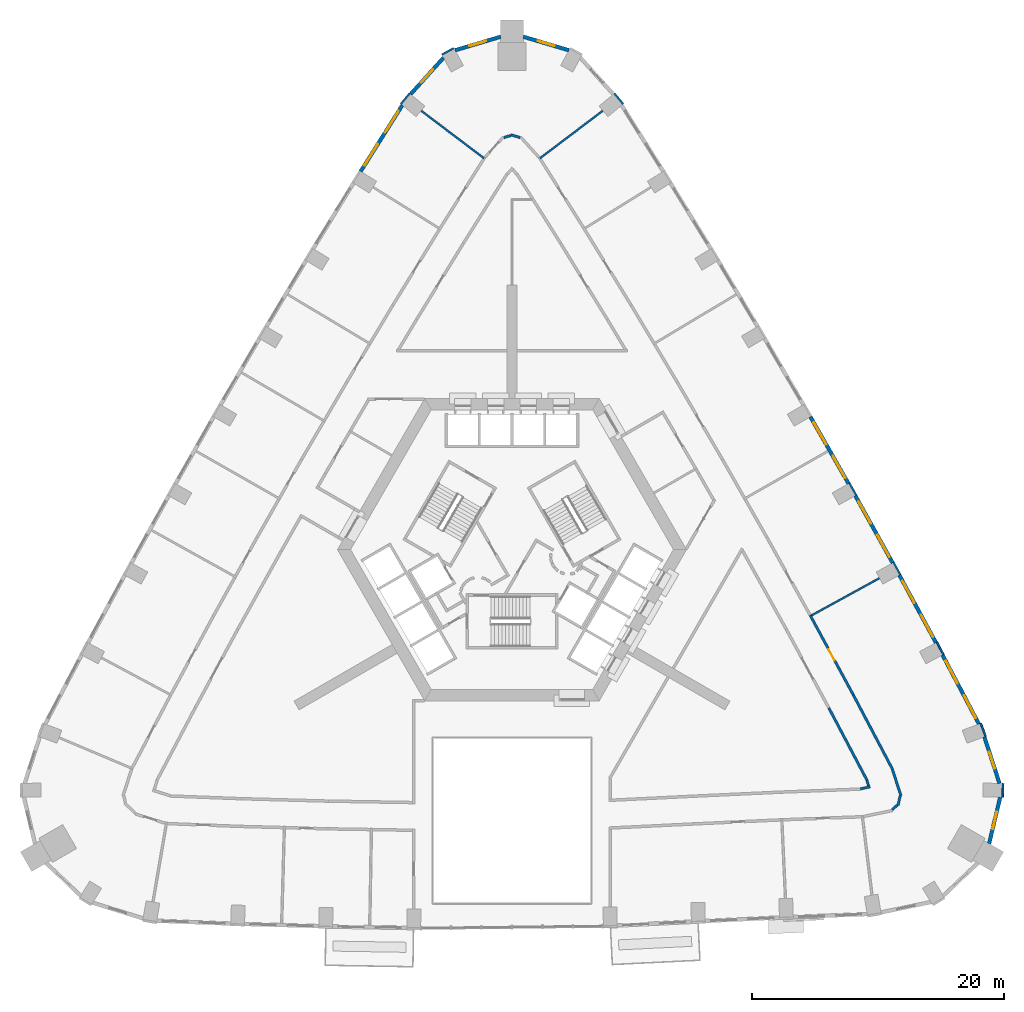
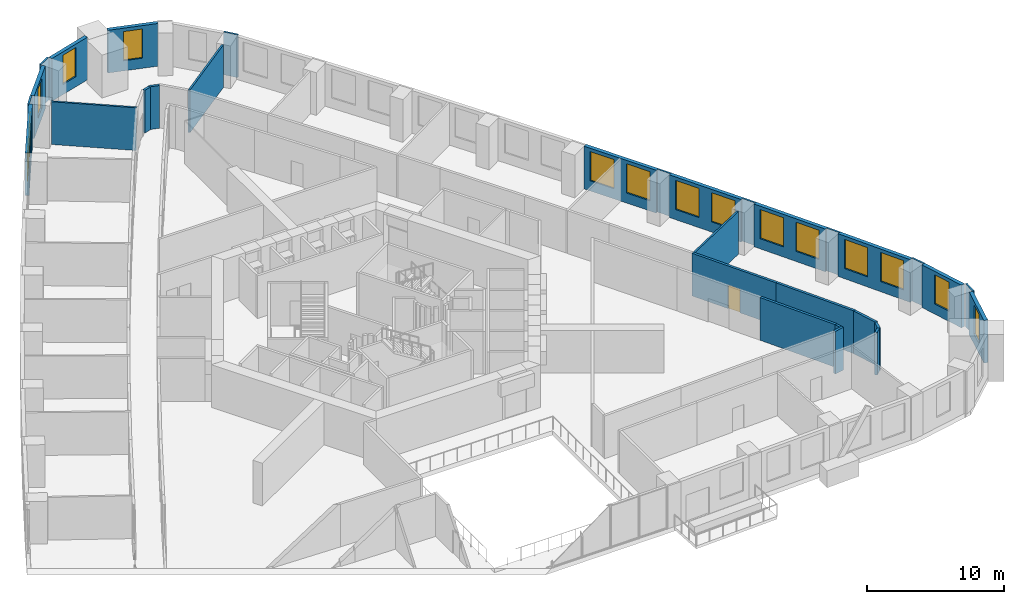
# One storey, part 11 of 14: 31 walls, 15 windows, 1 door, 16 openings.
"""IFC4 building model written with IfcOpenShell, lengths in metres."""

from ifc_helpers import new_model, si_unit, direction, frame, frame_2d, origin, place, context, subcontext, project, spatial, rectangle, extrude, material, layer, layer_set, type_object, element, fill, save


model = new_model("IFC4")

# Units and contexts
model_context = context("Model", 3, precision=1e-05, world=origin(), true_north=direction((0.0, 1.0)))
body_context = subcontext(model_context, "Body", "Model", "MODEL_VIEW")
ifc_project = project(units=[si_unit("LENGTHUNIT", "METRE"), si_unit("AREAUNIT", "SQUARE_METRE"), si_unit("VOLUMEUNIT", "CUBIC_METRE"), si_unit("PLANEANGLEUNIT", "RADIAN"), si_unit("MASSUNIT", "GRAM", prefix="KILO")], contexts=[model_context])

# Site, building, storey
site_placement = place(None, origin())
site = spatial("IfcSite", under=ifc_project, at=site_placement, CompositionType="ELEMENT")
building_placement = place(site_placement, origin())
building = spatial("IfcBuilding", under=site, at=building_placement, Name="Entoto Arch Interchange Tower", CompositionType="ELEMENT")
storey_placement = place(building_placement, frame((0.0, 0.0, 116.0)))
storey = spatial("IfcBuildingStorey", under=building, at=storey_placement, Name="L25", CompositionType="ELEMENT", Elevation=116.0)

# Walls
ifc_material_1 = material(Name="Gypsum board partition on steel studs", Category="steel")
ifc_layer_1 = layer(ifc_material_1, 0.14990234375)
ifc_layer_set_1 = layer_set([ifc_layer_1], Name="Gypsum board partition on steel studs")
wall_type_1 = type_object("IfcWallType", Name="PARTITION 150", PredefinedType="PARTITIONING", material=ifc_layer_set_1)
wall_1_placement = place(storey_placement, frame((23.7890625, -2.716064453125, 0.0), z_axis=(0.0, 0.0, 1.0), x_axis=(0.876716532234, 0.481007403382, 0.0)))
element("IfcWall", 1, at=wall_1_placement, inside=storey, type_object=wall_type_1, Name="wall:L25:p121", PredefinedType="PARTITIONING", context=body_context, shape_type="SweptSolid", body=[
    extrude(rectangle(XDim=6.130859375, YDim=0.14990234375, at=frame_2d((3.0654296875, 0.0))), origin(), (0.0, 0.0, 1.0), 3.800048828125),
])
for number, where, z_axis, x_axis, name in (
    (2, (2.2119140625, 33.56494140625, 0.0), (0.0, 0.0, 1.0), (0.797488074979, 0.603334708322, 0.0), "wall:L25:p125"),
    (3, (-2.2119140625, 33.56494140625, 0.0), (0.0, 0.0, 1.0), (-0.797488074979, 0.603334708322, 0.0), "wall:L25:p126"),
):
    element("IfcWall", number, at=place(storey_placement, frame(where, z_axis=z_axis, x_axis=x_axis)), inside=storey, type_object=wall_type_1, Name=name, PredefinedType="PARTITIONING", context=body_context, shape_type="SweptSolid", body=[
        extrude(rectangle(XDim=6.257080078125, YDim=0.14990234375, at=frame_2d((3.12841796875, 0.0))), origin(), (0.0, 0.0, 1.0), 3.800048828125),
    ])
ifc_layer_2 = layer(ifc_material_1, 0.199951171875)
ifc_layer_set_2 = layer_set([ifc_layer_2], Name="Gypsum board partition on steel studs")
wall_type_2 = type_object("IfcWallType", Name="PARTITION 200", PredefinedType="PARTITIONING", material=ifc_layer_set_2)
wall_2_placement = place(storey_placement, frame((27.652099609375, -16.491943359375, 0.0), z_axis=(0.0, 0.0, 1.0), x_axis=(0.979299848672, 0.202414936184, 0.0)))
element("IfcWall", 4, at=wall_2_placement, inside=storey, type_object=wall_type_2, Name="wall:L25:p021", PredefinedType="PARTITIONING", context=body_context, shape_type="SweptSolid", body=[
    extrude(rectangle(XDim=0.804443359375, YDim=0.199951171875, at=frame_2d((0.40234375, 0.0))), origin(), (0.0, 0.0, 1.0), 3.800048828125),
])
wall_3_placement = place(storey_placement, frame((28.31103515625, -16.25390625, 0.0), z_axis=(0.0, 0.0, 1.0), x_axis=(-0.3080060081, 0.951384411778, 0.0)))
element("IfcWall", 5, at=wall_3_placement, inside=storey, type_object=wall_type_2, Name="wall:L25:p022", PredefinedType="PARTITIONING", context=body_context, shape_type="SweptSolid", body=[
    extrude(rectangle(XDim=0.455078125, YDim=0.199951171875, at=frame_2d((0.2275390625, 0.0))), origin(), (0.0, 0.0, 1.0), 3.800048828125),
])
wall_4_placement = place(storey_placement, frame((28.18701171875, -15.81494140625, 0.0), z_axis=(0.0, 0.0, 1.0), x_axis=(-0.466663976618, 0.884434696813, 0.0)))
element("IfcWall", 6, at=wall_4_placement, inside=storey, type_object=wall_type_2, Name="wall:L25:p023", PredefinedType="PARTITIONING", context=body_context, shape_type="SweptSolid", body=[
    extrude(rectangle(XDim=6.501220703125, YDim=0.199951171875, at=frame_2d((3.25048828125, 0.0))), origin(), (0.0, 0.0, 1.0), 3.800048828125),
])

# Wall, opening, door
wall_5_placement = place(storey_placement, frame((23.666015625, -2.697998046875, 0.0), z_axis=(0.0, 0.0, 1.0), x_axis=(0.476195741963, -0.879339306148, 0.0)))
wall_5 = element("IfcWall", 7, at=wall_5_placement, inside=storey, type_object=wall_type_2, Name="wall:L25:p039", PredefinedType="PARTITIONING", context=body_context, shape_type="SweptSolid", body=[
    extrude(rectangle(XDim=7.19873046875, YDim=0.199951171875, at=frame_2d((3.599365234375, 0.0))), origin(), (0.0, 0.0, 1.0), 3.800048828125),
])
opening_1_placement = place(wall_5_placement, frame((3.09912109375, 0.0, 0.0)))
opening_1 = element("IfcOpeningElement", 8, at=opening_1_placement, cuts=wall_5, Name="Opening L25-D03", PredefinedType="OPENING", context=body_context, shape_type="SweptSolid", body=[
    extrude(rectangle(XDim=1.0, YDim=2.10009765625, at=frame_2d((0.5, 1.050048828125))), frame((0.0, 0.10986328125, 0.0), z_axis=(0.0, -1.0, 0.0), x_axis=(1.0, 0.0, 0.0)), (0.0, 0.0, 1.0), 0.219970703125),
])
ifc_material_2 = material(Name="Timber door leaf in Steel S235 frame", Category="steel")
door_type = type_object("IfcDoorType", Name="DOOR DS-10 1000x2100", OperationType="SINGLE_SWING_LEFT", PredefinedType="DOOR", material=ifc_material_2)
door_placement = place(opening_1_placement, origin())
door = element("IfcDoor", 9, at=door_placement, inside=storey, type_object=door_type, Name="door:L25:03", OperationType="SINGLE_SWING_RIGHT", OverallHeight=2.10009765625, OverallWidth=1.0, PredefinedType="DOOR", context=body_context, shape_type="SweptSolid", body=[
    extrude(rectangle(XDim=1.0, YDim=2.10009765625, at=frame_2d((0.5, 1.050048828125))), frame((0.0, 0.02490234375, 0.0), z_axis=(0.0, -1.0, 0.0), x_axis=(1.0, 0.0, 0.0)), (0.0, 0.0, 1.0), 0.050048828125),
])
fill(opening_1, door)

# Walls
wall_6_placement = place(storey_placement, frame((27.093994140625, -9.028076171875, 0.0), z_axis=(0.0, 0.0, 1.0), x_axis=(0.466559961767, -0.884489571491, 0.0)))
element("IfcWall", 10, at=wall_6_placement, inside=storey, type_object=wall_type_2, Name="wall:L25:p040", PredefinedType="PARTITIONING", context=body_context, shape_type="SweptSolid", body=[
    extrude(rectangle(XDim=6.7021484375, YDim=0.199951171875, at=frame_2d((3.35107421875, 0.0))), origin(), (0.0, 0.0, 1.0), 3.800048828125),
])
wall_7_placement = place(storey_placement, frame((30.205078125, -14.9619140625, 0.0), z_axis=(0.0, 0.0, 1.0), x_axis=(0.308592319841, -0.951194396606, 0.0)))
element("IfcWall", 11, at=wall_7_placement, inside=storey, type_object=wall_type_2, Name="wall:L25:p041", PredefinedType="PARTITIONING", context=body_context, shape_type="SweptSolid", body=[
    extrude(rectangle(XDim=2.180419921875, YDim=0.199951171875, at=frame_2d((1.09033203125, 0.0))), origin(), (0.0, 0.0, 1.0), 3.800048828125),
])
wall_8_placement = place(storey_placement, frame((30.822998046875, -17.0380859375, 0.0), z_axis=(0.0, 0.0, 1.0), x_axis=(-0.2319010674, -0.972739376677, 0.0)))
element("IfcWall", 12, at=wall_8_placement, inside=storey, type_object=wall_type_2, Name="wall:L25:p042", PredefinedType="PARTITIONING", context=body_context, shape_type="SweptSolid", body=[
    extrude(rectangle(XDim=0.784423828125, YDim=0.199951171875, at=frame_2d((0.39208984375, 0.0))), origin(), (0.0, 0.0, 1.0), 3.800048828125),
])
wall_9_placement = place(storey_placement, frame((30.592041015625, -17.77294921875, 0.0), z_axis=(0.0, 0.0, 1.0), x_axis=(-0.727217805738, -0.68640677664, 0.0)))
element("IfcWall", 13, at=wall_9_placement, inside=storey, type_object=wall_type_2, Name="wall:L25:p043", PredefinedType="PARTITIONING", context=body_context, shape_type="SweptSolid", body=[
    extrude(rectangle(XDim=0.562255859375, YDim=0.199951171875, at=frame_2d((0.28125, 0.0))), origin(), (0.0, 0.0, 1.0), 3.800048828125),
])
wall_10_placement = place(storey_placement, frame((-0.656005859375, 35.212890625, 0.0), z_axis=(0.0, 0.0, 1.0), x_axis=(0.958764375257, 0.284202168777, 0.0)))
element("IfcWall", 14, at=wall_10_placement, inside=storey, type_object=wall_type_2, Name="wall:L25:p054", PredefinedType="PARTITIONING", context=body_context, shape_type="SweptSolid", body=[
    extrude(rectangle(XDim=0.584228515625, YDim=0.199951171875, at=frame_2d((0.2919921875, 0.0))), origin(), (0.0, 0.0, 1.0), 3.800048828125),
])
wall_11_placement = place(storey_placement, frame((-0.095947265625, 35.43603515625, 0.0), z_axis=(0.0, 0.0, 1.0), x_axis=(0.95867870552, -0.284491018456, 0.0)))
element("IfcWall", 15, at=wall_11_placement, inside=storey, type_object=wall_type_2, Name="wall:L25:p055", PredefinedType="PARTITIONING", context=body_context, shape_type="SweptSolid", body=[
    extrude(rectangle(XDim=0.784423828125, YDim=0.199951171875, at=frame_2d((0.39208984375, 0.0))), origin(), (0.0, 0.0, 1.0), 3.800048828125),
])

# Wall, opening, window
ifc_material_3 = material(Name="Welded tuff (ignimbrite) cladding, warm buff", Category="masonry")
ifc_layer_3 = layer(ifc_material_3, 0.300048828125)
ifc_layer_set_3 = layer_set([ifc_layer_3], Name="Welded tuff (ignimbrite) cladding, warm buff")
wall_type_3 = type_object("IfcWallType", Name="STONE INFILL WALL 300", PredefinedType="STANDARD", material=ifc_layer_set_3)
wall_12_placement = place(storey_placement, frame((37.884033203125, -20.8349609375, 0.0), z_axis=(0.0, 0.0, 1.0), x_axis=(0.232654276823, 0.972559503309, 0.0)))
wall_12 = element("IfcWall", 16, at=wall_12_placement, inside=storey, type_object=wall_type_3, Name="Facade wall SE-03 L25", PredefinedType="STANDARD", context=body_context, shape_type="SweptSolid", body=[
    extrude(rectangle(XDim=3.77783203125, YDim=0.300048828125, at=frame_2d((1.888916015625, 0.0))), origin(), (0.0, 0.0, 1.0), 3.800048828125),
])
opening_2_placement = place(wall_12_placement, frame((1.18896484375, 0.0, 0.89990234375)))
opening_2 = element("IfcOpeningElement", 17, at=opening_2_placement, cuts=wall_12, Name="Opening WO-B", PredefinedType="OPENING", context=body_context, shape_type="SweptSolid", body=[
    extrude(rectangle(XDim=1.39990234375, YDim=2.60009765625, at=frame_2d((0.699951171875, 1.300048828125))), frame((0.0, 0.16015625, 0.0), z_axis=(0.0, -1.0, 0.0), x_axis=(1.0, 0.0, 0.0)), (0.0, 0.0, 1.0), 0.320068359375),
])
ifc_material_4 = material(Name="Clear glass, low-e double glazed", Category="glass")
window_type_1 = type_object("IfcWindowType", Name="WINDOW WO-B 1400x2600", PartitioningType="DOUBLE_PANEL_VERTICAL", PredefinedType="WINDOW", material=ifc_material_4)
window_1_placement = place(opening_2_placement, origin())
window_1 = element("IfcWindow", 18, at=window_1_placement, inside=storey, type_object=window_type_1, Name="Window WO-B SE-03 L25", OverallHeight=2.60009765625, OverallWidth=1.39990234375, PartitioningType="SINGLE_PANEL", PredefinedType="WINDOW", context=body_context, shape_type="SweptSolid", body=[
    extrude(rectangle(XDim=1.39990234375, YDim=2.60009765625, at=frame_2d((0.699951171875, 1.300048828125))), frame((0.0, 0.030029296875, 0.0), z_axis=(0.0, -1.0, 0.0), x_axis=(1.0, 0.0, 0.0)), (0.0, 0.0, 1.0), 0.06005859375),
])
fill(opening_2, window_1)

wall_13_placement = place(storey_placement, frame((38.708984375, -16.06103515625, 0.0), z_axis=(0.0, 0.0, 1.0), x_axis=(-0.308484760821, 0.951229284842, 0.0)))
wall_13 = element("IfcWall", 19, at=wall_13_placement, inside=storey, type_object=wall_type_3, Name="Facade wall SE-04 L25", PredefinedType="STANDARD", context=body_context, shape_type="SweptSolid", body=[
    extrude(rectangle(XDim=3.89306640625, YDim=0.300048828125, at=frame_2d((1.946533203125, 0.0))), origin(), (0.0, 0.0, 1.0), 3.800048828125),
])
opening_3_placement = place(wall_13_placement, frame((1.24609375, 0.0, 0.89990234375)))
opening_3 = element("IfcOpeningElement", 20, at=opening_3_placement, cuts=wall_13, Name="Opening WO-B", PredefinedType="OPENING", context=body_context, shape_type="SweptSolid", body=[
    extrude(rectangle(XDim=1.39990234375, YDim=2.60009765625, at=frame_2d((0.699951171875, 1.300048828125))), frame((0.0, 0.16015625, 0.0), z_axis=(0.0, -1.0, 0.0), x_axis=(1.0, 0.0, 0.0)), (0.0, 0.0, 1.0), 0.320068359375),
])
window_2_placement = place(opening_3_placement, origin())
window_2 = element("IfcWindow", 21, at=window_2_placement, inside=storey, type_object=window_type_1, Name="Window WO-B SE-04 L25", OverallHeight=2.60009765625, OverallWidth=1.39990234375, PartitioningType="SINGLE_PANEL", PredefinedType="WINDOW", context=body_context, shape_type="SweptSolid", body=[
    extrude(rectangle(XDim=1.39990234375, YDim=2.60009765625, at=frame_2d((0.699951171875, 1.300048828125))), frame((0.0, 0.030029296875, 0.0), z_axis=(0.0, -1.0, 0.0), x_axis=(1.0, 0.0, 0.0)), (0.0, 0.0, 1.0), 0.06005859375),
])
fill(opening_3, window_2)

# Wall, openings, windows
wall_14_placement = place(storey_placement, frame((37.0791015625, -11.345947265625, 0.0), z_axis=(0.0, 0.0, 1.0), x_axis=(-0.466599547852, 0.88446868907, 0.0)))
wall_14 = element("IfcWall", 22, at=wall_14_placement, inside=storey, type_object=wall_type_3, Name="Facade wall NE-01 L25", PredefinedType="STANDARD", context=body_context, shape_type="SweptSolid", body=[
    extrude(rectangle(XDim=6.202392578125, YDim=0.300048828125, at=frame_2d((3.10107421875, 0.0))), origin(), (0.0, 0.0, 1.0), 3.800048828125),
])
opening_4_placement = place(wall_14_placement, frame((0.551025390625, 0.0, 0.89990234375)))
opening_4 = element("IfcOpeningElement", 23, at=opening_4_placement, cuts=wall_14, Name="Opening WO-C", PredefinedType="OPENING", context=body_context, shape_type="SweptSolid", body=[
    extrude(rectangle(XDim=2.0, YDim=2.60009765625, at=frame_2d((1.0, 1.300048828125))), frame((0.0, 0.16015625, 0.0), z_axis=(0.0, -1.0, 0.0), x_axis=(1.0, 0.0, 0.0)), (0.0, 0.0, 1.0), 0.320068359375),
])
opening_5_placement = place(wall_14_placement, frame((3.652099609375, 0.0, 0.89990234375)))
opening_5 = element("IfcOpeningElement", 24, at=opening_5_placement, cuts=wall_14, Name="Opening WO-C", PredefinedType="OPENING", context=body_context, shape_type="SweptSolid", body=[
    extrude(rectangle(XDim=2.0, YDim=2.60009765625, at=frame_2d((1.0, 1.300048828125))), frame((0.0, 0.16015625, 0.0), z_axis=(0.0, -1.0, 0.0), x_axis=(1.0, 0.0, 0.0)), (0.0, 0.0, 1.0), 0.320068359375),
])
window_type_2 = type_object("IfcWindowType", Name="WINDOW WO-C 2000x2600", PartitioningType="DOUBLE_PANEL_VERTICAL", PredefinedType="WINDOW", material=ifc_material_4)
window_3_placement = place(opening_4_placement, origin())
window_3 = element("IfcWindow", 25, at=window_3_placement, inside=storey, type_object=window_type_2, Name="Window WO-C NE-01 L25", OverallHeight=2.60009765625, OverallWidth=2.0, PartitioningType="SINGLE_PANEL", PredefinedType="WINDOW", context=body_context, shape_type="SweptSolid", body=[
    extrude(rectangle(XDim=2.0, YDim=2.60009765625, at=frame_2d((1.0, 1.300048828125))), frame((0.0, 0.030029296875, 0.0), z_axis=(0.0, -1.0, 0.0), x_axis=(1.0, 0.0, 0.0)), (0.0, 0.0, 1.0), 0.06005859375),
])
fill(opening_4, window_3)
window_4_placement = place(opening_5_placement, origin())
window_4 = element("IfcWindow", 26, at=window_4_placement, inside=storey, type_object=window_type_2, Name="Window WO-C NE-01 L25", OverallHeight=2.60009765625, OverallWidth=2.0, PartitioningType="SINGLE_PANEL", PredefinedType="WINDOW", context=body_context, shape_type="SweptSolid", body=[
    extrude(rectangle(XDim=2.0, YDim=2.60009765625, at=frame_2d((1.0, 1.300048828125))), frame((0.0, 0.030029296875, 0.0), z_axis=(0.0, -1.0, 0.0), x_axis=(1.0, 0.0, 0.0)), (0.0, 0.0, 1.0), 0.06005859375),
])
fill(opening_5, window_4)

wall_15_placement = place(storey_placement, frame((33.6669921875, -4.89208984375, 0.0), z_axis=(0.0, 0.0, 1.0), x_axis=(-0.476097776444, 0.879392351152, 0.0)))
wall_15 = element("IfcWall", 27, at=wall_15_placement, inside=storey, type_object=wall_type_3, Name="Facade wall NE-02 L25", PredefinedType="STANDARD", context=body_context, shape_type="SweptSolid", body=[
    extrude(rectangle(XDim=6.10986328125, YDim=0.300048828125, at=frame_2d((3.054931640625, 0.0))), origin(), (0.0, 0.0, 1.0), 3.800048828125),
])
opening_6_placement = place(wall_15_placement, frame((0.527099609375, 0.0, 0.89990234375)))
opening_6 = element("IfcOpeningElement", 28, at=opening_6_placement, cuts=wall_15, Name="Opening WO-C", PredefinedType="OPENING", context=body_context, shape_type="SweptSolid", body=[
    extrude(rectangle(XDim=2.0, YDim=2.60009765625, at=frame_2d((1.0, 1.300048828125))), frame((0.0, 0.16015625, 0.0), z_axis=(0.0, -1.0, 0.0), x_axis=(1.0, 0.0, 0.0)), (0.0, 0.0, 1.0), 0.320068359375),
])
opening_7_placement = place(wall_15_placement, frame((3.58203125, 0.0, 0.89990234375)))
opening_7 = element("IfcOpeningElement", 29, at=opening_7_placement, cuts=wall_15, Name="Opening WO-C", PredefinedType="OPENING", context=body_context, shape_type="SweptSolid", body=[
    extrude(rectangle(XDim=2.0, YDim=2.60009765625, at=frame_2d((1.0, 1.300048828125))), frame((0.0, 0.16015625, 0.0), z_axis=(0.0, -1.0, 0.0), x_axis=(1.0, 0.0, 0.0)), (0.0, 0.0, 1.0), 0.320068359375),
])
window_5_placement = place(opening_6_placement, origin())
window_5 = element("IfcWindow", 30, at=window_5_placement, inside=storey, type_object=window_type_2, Name="Window WO-C NE-02 L25", OverallHeight=2.60009765625, OverallWidth=2.0, PartitioningType="SINGLE_PANEL", PredefinedType="WINDOW", context=body_context, shape_type="SweptSolid", body=[
    extrude(rectangle(XDim=2.0, YDim=2.60009765625, at=frame_2d((1.0, 1.300048828125))), frame((0.0, 0.030029296875, 0.0), z_axis=(0.0, -1.0, 0.0), x_axis=(1.0, 0.0, 0.0)), (0.0, 0.0, 1.0), 0.06005859375),
])
fill(opening_6, window_5)
window_6_placement = place(opening_7_placement, origin())
window_6 = element("IfcWindow", 31, at=window_6_placement, inside=storey, type_object=window_type_2, Name="Window WO-C NE-02 L25", OverallHeight=2.60009765625, OverallWidth=2.0, PartitioningType="SINGLE_PANEL", PredefinedType="WINDOW", context=body_context, shape_type="SweptSolid", body=[
    extrude(rectangle(XDim=2.0, YDim=2.60009765625, at=frame_2d((1.0, 1.300048828125))), frame((0.0, 0.030029296875, 0.0), z_axis=(0.0, -1.0, 0.0), x_axis=(1.0, 0.0, 0.0)), (0.0, 0.0, 1.0), 0.06005859375),
])
fill(opening_7, window_6)

wall_16_placement = place(storey_placement, frame((30.22998046875, 1.444091796875, 0.0), z_axis=(0.0, 0.0, 1.0), x_axis=(-0.485822751649, 0.874057351654, 0.0)))
wall_16 = element("IfcWall", 32, at=wall_16_placement, inside=storey, type_object=wall_type_3, Name="Facade wall NE-03 L25", PredefinedType="STANDARD", context=body_context, shape_type="SweptSolid", body=[
    extrude(rectangle(XDim=6.109375, YDim=0.300048828125, at=frame_2d((3.0546875, 0.0))), origin(), (0.0, 0.0, 1.0), 3.800048828125),
])
opening_8_placement = place(wall_16_placement, frame((0.527099609375, 0.0, 0.89990234375)))
opening_8 = element("IfcOpeningElement", 33, at=opening_8_placement, cuts=wall_16, Name="Opening WO-C", PredefinedType="OPENING", context=body_context, shape_type="SweptSolid", body=[
    extrude(rectangle(XDim=2.0, YDim=2.60009765625, at=frame_2d((1.0, 1.300048828125))), frame((0.0, 0.16015625, 0.0), z_axis=(0.0, -1.0, 0.0), x_axis=(1.0, 0.0, 0.0)), (0.0, 0.0, 1.0), 0.320068359375),
])
opening_9_placement = place(wall_16_placement, frame((3.58203125, 0.0, 0.89990234375)))
opening_9 = element("IfcOpeningElement", 34, at=opening_9_placement, cuts=wall_16, Name="Opening WO-C", PredefinedType="OPENING", context=body_context, shape_type="SweptSolid", body=[
    extrude(rectangle(XDim=2.0, YDim=2.60009765625, at=frame_2d((1.0, 1.300048828125))), frame((0.0, 0.16015625, 0.0), z_axis=(0.0, -1.0, 0.0), x_axis=(1.0, 0.0, 0.0)), (0.0, 0.0, 1.0), 0.320068359375),
])
window_7_placement = place(opening_8_placement, origin())
window_7 = element("IfcWindow", 35, at=window_7_placement, inside=storey, type_object=window_type_2, Name="Window WO-C NE-03 L25", OverallHeight=2.60009765625, OverallWidth=2.0, PartitioningType="SINGLE_PANEL", PredefinedType="WINDOW", context=body_context, shape_type="SweptSolid", body=[
    extrude(rectangle(XDim=2.0, YDim=2.60009765625, at=frame_2d((1.0, 1.300048828125))), frame((0.0, 0.030029296875, 0.0), z_axis=(0.0, -1.0, 0.0), x_axis=(1.0, 0.0, 0.0)), (0.0, 0.0, 1.0), 0.06005859375),
])
fill(opening_8, window_7)
window_8_placement = place(opening_9_placement, origin())
window_8 = element("IfcWindow", 36, at=window_8_placement, inside=storey, type_object=window_type_2, Name="Window WO-C NE-03 L25", OverallHeight=2.60009765625, OverallWidth=2.0, PartitioningType="SINGLE_PANEL", PredefinedType="WINDOW", context=body_context, shape_type="SweptSolid", body=[
    extrude(rectangle(XDim=2.0, YDim=2.60009765625, at=frame_2d((1.0, 1.300048828125))), frame((0.0, 0.030029296875, 0.0), z_axis=(0.0, -1.0, 0.0), x_axis=(1.0, 0.0, 0.0)), (0.0, 0.0, 1.0), 0.06005859375),
])
fill(opening_9, window_8)

wall_17_placement = place(storey_placement, frame((26.722900390625, 7.739990234375, 0.0), z_axis=(0.0, 0.0, 1.0), x_axis=(-0.495114366991, 0.868827810098, 0.0)))
wall_17 = element("IfcWall", 37, at=wall_17_placement, inside=storey, type_object=wall_type_3, Name="Facade wall NE-04 L25", PredefinedType="STANDARD", context=body_context, shape_type="SweptSolid", body=[
    extrude(rectangle(XDim=6.109619140625, YDim=0.300048828125, at=frame_2d((3.0546875, 0.0))), origin(), (0.0, 0.0, 1.0), 3.800048828125),
])
opening_10_placement = place(wall_17_placement, frame((0.527099609375, 0.0, 0.89990234375)))
opening_10 = element("IfcOpeningElement", 38, at=opening_10_placement, cuts=wall_17, Name="Opening WO-C", PredefinedType="OPENING", context=body_context, shape_type="SweptSolid", body=[
    extrude(rectangle(XDim=2.0, YDim=2.60009765625, at=frame_2d((1.0, 1.300048828125))), frame((0.0, 0.16015625, 0.0), z_axis=(0.0, -1.0, 0.0), x_axis=(1.0, 0.0, 0.0)), (0.0, 0.0, 1.0), 0.320068359375),
])
opening_11_placement = place(wall_17_placement, frame((3.58203125, 0.0, 0.89990234375)))
opening_11 = element("IfcOpeningElement", 39, at=opening_11_placement, cuts=wall_17, Name="Opening WO-C", PredefinedType="OPENING", context=body_context, shape_type="SweptSolid", body=[
    extrude(rectangle(XDim=2.0, YDim=2.60009765625, at=frame_2d((1.0, 1.300048828125))), frame((0.0, 0.16015625, 0.0), z_axis=(0.0, -1.0, 0.0), x_axis=(1.0, 0.0, 0.0)), (0.0, 0.0, 1.0), 0.320068359375),
])
window_9_placement = place(opening_10_placement, origin())
window_9 = element("IfcWindow", 40, at=window_9_placement, inside=storey, type_object=window_type_2, Name="Window WO-C NE-04 L25", OverallHeight=2.60009765625, OverallWidth=2.0, PartitioningType="SINGLE_PANEL", PredefinedType="WINDOW", context=body_context, shape_type="SweptSolid", body=[
    extrude(rectangle(XDim=2.0, YDim=2.60009765625, at=frame_2d((1.0, 1.300048828125))), frame((0.0, 0.030029296875, 0.0), z_axis=(0.0, -1.0, 0.0), x_axis=(1.0, 0.0, 0.0)), (0.0, 0.0, 1.0), 0.06005859375),
])
fill(opening_10, window_9)
window_10_placement = place(opening_11_placement, origin())
window_10 = element("IfcWindow", 41, at=window_10_placement, inside=storey, type_object=window_type_2, Name="Window WO-C NE-04 L25", OverallHeight=2.60009765625, OverallWidth=2.0, PartitioningType="SINGLE_PANEL", PredefinedType="WINDOW", context=body_context, shape_type="SweptSolid", body=[
    extrude(rectangle(XDim=2.0, YDim=2.60009765625, at=frame_2d((1.0, 1.300048828125))), frame((0.0, 0.030029296875, 0.0), z_axis=(0.0, -1.0, 0.0), x_axis=(1.0, 0.0, 0.0)), (0.0, 0.0, 1.0), 0.06005859375),
])
fill(opening_11, window_10)

# Wall, opening, window
wall_18_placement = place(storey_placement, frame((4.52001953125, 42.14892578125, 0.0), z_axis=(0.0, 0.0, 1.0), x_axis=(-0.958563070772, 0.284880394819, 0.0)))
wall_18 = element("IfcWall", 42, at=wall_18_placement, inside=storey, type_object=wall_type_3, Name="Facade wall N-02 L25", PredefinedType="STANDARD", context=body_context, shape_type="SweptSolid", body=[
    extrude(rectangle(XDim=3.777587890625, YDim=0.300048828125, at=frame_2d((1.888671875, 0.0))), origin(), (0.0, 0.0, 1.0), 3.800048828125),
])
opening_12_placement = place(wall_18_placement, frame((1.18896484375, 0.0, 0.89990234375)))
opening_12 = element("IfcOpeningElement", 43, at=opening_12_placement, cuts=wall_18, Name="Opening WO-B", PredefinedType="OPENING", context=body_context, shape_type="SweptSolid", body=[
    extrude(rectangle(XDim=1.39990234375, YDim=2.60009765625, at=frame_2d((0.699951171875, 1.300048828125))), frame((0.0, 0.16015625, 0.0), z_axis=(0.0, -1.0, 0.0), x_axis=(1.0, 0.0, 0.0)), (0.0, 0.0, 1.0), 0.320068359375),
])
window_11_placement = place(opening_12_placement, origin())
window_11 = element("IfcWindow", 44, at=window_11_placement, inside=storey, type_object=window_type_1, Name="Window WO-B N-02 L25", OverallHeight=2.60009765625, OverallWidth=1.39990234375, PartitioningType="SINGLE_PANEL", PredefinedType="WINDOW", context=body_context, shape_type="SweptSolid", body=[
    extrude(rectangle(XDim=1.39990234375, YDim=2.60009765625, at=frame_2d((0.699951171875, 1.300048828125))), frame((0.0, 0.030029296875, 0.0), z_axis=(0.0, -1.0, 0.0), x_axis=(1.0, 0.0, 0.0)), (0.0, 0.0, 1.0), 0.06005859375),
])
fill(opening_12, window_11)

wall_19_placement = place(storey_placement, frame((-0.89892578125, 43.22509765625, 0.0), z_axis=(0.0, 0.0, 1.0), x_axis=(-0.958563070772, -0.284880394819, 0.0)))
wall_19 = element("IfcWall", 45, at=wall_19_placement, inside=storey, type_object=wall_type_3, Name="Facade wall N-03 L25", PredefinedType="STANDARD", context=body_context, shape_type="SweptSolid", body=[
    extrude(rectangle(XDim=3.777587890625, YDim=0.300048828125, at=frame_2d((1.888671875, 0.0))), origin(), (0.0, 0.0, 1.0), 3.800048828125),
])
opening_13_placement = place(wall_19_placement, frame((1.18896484375, 0.0, 0.89990234375)))
opening_13 = element("IfcOpeningElement", 46, at=opening_13_placement, cuts=wall_19, Name="Opening WO-B", PredefinedType="OPENING", context=body_context, shape_type="SweptSolid", body=[
    extrude(rectangle(XDim=1.39990234375, YDim=2.60009765625, at=frame_2d((0.699951171875, 1.300048828125))), frame((0.0, 0.16015625, 0.0), z_axis=(0.0, -1.0, 0.0), x_axis=(1.0, 0.0, 0.0)), (0.0, 0.0, 1.0), 0.320068359375),
])
window_12_placement = place(opening_13_placement, origin())
window_12 = element("IfcWindow", 47, at=window_12_placement, inside=storey, type_object=window_type_1, Name="Window WO-B N-03 L25", OverallHeight=2.60009765625, OverallWidth=1.39990234375, PartitioningType="SINGLE_PANEL", PredefinedType="WINDOW", context=body_context, shape_type="SweptSolid", body=[
    extrude(rectangle(XDim=1.39990234375, YDim=2.60009765625, at=frame_2d((0.699951171875, 1.300048828125))), frame((0.0, 0.030029296875, 0.0), z_axis=(0.0, -1.0, 0.0), x_axis=(1.0, 0.0, 0.0)), (0.0, 0.0, 1.0), 0.06005859375),
])
fill(opening_13, window_12)

wall_20_placement = place(storey_placement, frame((-5.445068359375, 41.552001953125, 0.0), z_axis=(0.0, 0.0, 1.0), x_axis=(-0.66966434159, -0.742663900834, 0.0)))
wall_20 = element("IfcWall", 48, at=wall_20_placement, inside=storey, type_object=wall_type_3, Name="Facade wall N-04 L25", PredefinedType="STANDARD", context=body_context, shape_type="SweptSolid", body=[
    extrude(rectangle(XDim=3.892822265625, YDim=0.300048828125, at=frame_2d((1.9462890625, 0.0))), origin(), (0.0, 0.0, 1.0), 3.800048828125),
])
opening_14_placement = place(wall_20_placement, frame((1.24609375, 0.0, 0.89990234375)))
opening_14 = element("IfcOpeningElement", 49, at=opening_14_placement, cuts=wall_20, Name="Opening WO-B", PredefinedType="OPENING", context=body_context, shape_type="SweptSolid", body=[
    extrude(rectangle(XDim=1.39990234375, YDim=2.60009765625, at=frame_2d((0.699951171875, 1.300048828125))), frame((0.0, 0.16015625, 0.0), z_axis=(0.0, -1.0, 0.0), x_axis=(1.0, 0.0, 0.0)), (0.0, 0.0, 1.0), 0.320068359375),
])
window_13_placement = place(opening_14_placement, origin())
window_13 = element("IfcWindow", 50, at=window_13_placement, inside=storey, type_object=window_type_1, Name="Window WO-B N-04 L25", OverallHeight=2.60009765625, OverallWidth=1.39990234375, PartitioningType="SINGLE_PANEL", PredefinedType="WINDOW", context=body_context, shape_type="SweptSolid", body=[
    extrude(rectangle(XDim=1.39990234375, YDim=2.60009765625, at=frame_2d((0.699951171875, 1.300048828125))), frame((0.0, 0.030029296875, 0.0), z_axis=(0.0, -1.0, 0.0), x_axis=(1.0, 0.0, 0.0)), (0.0, 0.0, 1.0), 0.06005859375),
])
fill(opening_14, window_13)

# Wall, openings, windows
wall_21_placement = place(storey_placement, frame((-8.714111328125, 37.783935546875, 0.0), z_axis=(0.0, 0.0, 1.0), x_axis=(-0.532699467907, -0.846304482377, 0.0)))
wall_21 = element("IfcWall", 51, at=wall_21_placement, inside=storey, type_object=wall_type_3, Name="Facade wall NW-01 L25", PredefinedType="STANDARD", context=body_context, shape_type="SweptSolid", body=[
    extrude(rectangle(XDim=6.202392578125, YDim=0.300048828125, at=frame_2d((3.10107421875, 0.0))), origin(), (0.0, 0.0, 1.0), 3.800048828125),
])
opening_15_placement = place(wall_21_placement, frame((0.551025390625, 0.0, 0.89990234375)))
opening_15 = element("IfcOpeningElement", 52, at=opening_15_placement, cuts=wall_21, Name="Opening WO-C", PredefinedType="OPENING", context=body_context, shape_type="SweptSolid", body=[
    extrude(rectangle(XDim=2.0, YDim=2.60009765625, at=frame_2d((1.0, 1.300048828125))), frame((0.0, 0.16015625, 0.0), z_axis=(0.0, -1.0, 0.0), x_axis=(1.0, 0.0, 0.0)), (0.0, 0.0, 1.0), 0.320068359375),
])
opening_16_placement = place(wall_21_placement, frame((3.652099609375, 0.0, 0.89990234375)))
opening_16 = element("IfcOpeningElement", 53, at=opening_16_placement, cuts=wall_21, Name="Opening WO-C", PredefinedType="OPENING", context=body_context, shape_type="SweptSolid", body=[
    extrude(rectangle(XDim=2.0, YDim=2.60009765625, at=frame_2d((1.0, 1.300048828125))), frame((0.0, 0.16015625, 0.0), z_axis=(0.0, -1.0, 0.0), x_axis=(1.0, 0.0, 0.0)), (0.0, 0.0, 1.0), 0.320068359375),
])
window_14_placement = place(opening_15_placement, origin())
window_14 = element("IfcWindow", 54, at=window_14_placement, inside=storey, type_object=window_type_2, Name="Window WO-C NW-01 L25", OverallHeight=2.60009765625, OverallWidth=2.0, PartitioningType="SINGLE_PANEL", PredefinedType="WINDOW", context=body_context, shape_type="SweptSolid", body=[
    extrude(rectangle(XDim=2.0, YDim=2.60009765625, at=frame_2d((1.0, 1.300048828125))), frame((0.0, 0.030029296875, 0.0), z_axis=(0.0, -1.0, 0.0), x_axis=(1.0, 0.0, 0.0)), (0.0, 0.0, 1.0), 0.06005859375),
])
fill(opening_15, window_14)
window_15_placement = place(opening_16_placement, origin())
window_15 = element("IfcWindow", 55, at=window_15_placement, inside=storey, type_object=window_type_2, Name="Window WO-C NW-01 L25", OverallHeight=2.60009765625, OverallWidth=2.0, PartitioningType="SINGLE_PANEL", PredefinedType="WINDOW", context=body_context, shape_type="SweptSolid", body=[
    extrude(rectangle(XDim=2.0, YDim=2.60009765625, at=frame_2d((1.0, 1.300048828125))), frame((0.0, 0.030029296875, 0.0), z_axis=(0.0, -1.0, 0.0), x_axis=(1.0, 0.0, 0.0)), (0.0, 0.0, 1.0), 0.06005859375),
])
fill(opening_16, window_15)

# Walls
ifc_layer_4 = layer(ifc_material_3, 0.14990234375)
ifc_layer_set_4 = layer_set([ifc_layer_4], Name="Welded tuff (ignimbrite) cladding, warm buff")
wall_type_4 = type_object("IfcWallType", Name="STONE PIER CLADDING 150", PredefinedType="STANDARD", material=ifc_layer_set_4)
wall_22_placement = place(storey_placement, frame((-4.613037109375, 42.322021484375, 0.0), z_axis=(0.0, 0.0, 1.0), x_axis=(-0.877463015547, -0.479644301902, 0.0)))
element("IfcWall", 56, at=wall_22_placement, inside=storey, type_object=wall_type_4, Name="Stone pier N3 L25", PredefinedType="STANDARD", context=body_context, shape_type="SweptSolid", body=[
    extrude(rectangle(XDim=1.10107421875, YDim=0.14990234375, at=frame_2d((0.550537109375, 0.0))), origin(), (0.0, 0.0, 1.0), 3.800048828125),
])
wall_23_placement = place(storey_placement, frame((37.60009765625, -12.324951171875, 0.0), z_axis=(0.0, 0.0, 1.0), x_axis=(-0.347205967468, 0.937788897436, 0.0)))
element("IfcWall", 57, at=wall_23_placement, inside=storey, type_object=wall_type_4, Name="Stone pier NE01 L25", PredefinedType="STANDARD", context=body_context, shape_type="SweptSolid", body=[
    extrude(rectangle(XDim=1.100341796875, YDim=0.14990234375, at=frame_2d((0.55029296875, 0.0))), origin(), (0.0, 0.0, 1.0), 3.800048828125),
])
wall_24_placement = place(storey_placement, frame((34.2529296875, -5.824951171875, 0.0), z_axis=(0.0, 0.0, 1.0), x_axis=(-0.46919310775, 0.883095593716, 0.0)))
element("IfcWall", 58, at=wall_24_placement, inside=storey, type_object=wall_type_4, Name="Stone pier NE02 L25", PredefinedType="STANDARD", context=body_context, shape_type="SweptSolid", body=[
    extrude(rectangle(XDim=1.099365234375, YDim=0.14990234375, at=frame_2d((0.5498046875, 0.0))), origin(), (0.0, 0.0, 1.0), 3.800048828125),
])
wall_25_placement = place(storey_placement, frame((30.825927734375, 0.51708984375, 0.0), z_axis=(0.0, 0.0, 1.0), x_axis=(-0.479566870346, 0.877505337229, 0.0)))
element("IfcWall", 59, at=wall_25_placement, inside=storey, type_object=wall_type_4, Name="Stone pier NE03 L25", PredefinedType="STANDARD", context=body_context, shape_type="SweptSolid", body=[
    extrude(rectangle(XDim=1.1005859375, YDim=0.14990234375, at=frame_2d((0.55029296875, 0.0))), origin(), (0.0, 0.0, 1.0), 3.800048828125),
])
wall_26_placement = place(storey_placement, frame((27.330078125, 6.821044921875, 0.0), z_axis=(0.0, 0.0, 1.0), x_axis=(-0.490008344094, 0.871717742574, 0.0)))
element("IfcWall", 60, at=wall_26_placement, inside=storey, type_object=wall_type_4, Name="Stone pier NE04 L25", PredefinedType="STANDARD", context=body_context, shape_type="SweptSolid", body=[
    extrude(rectangle(XDim=1.10009765625, YDim=0.14990234375, at=frame_2d((0.550048828125, 0.0))), origin(), (0.0, 0.0, 1.0), 3.800048828125),
])
for number, where, z_axis, x_axis, name in (
    (61, (8.827880859375, 37.8779296875, 0.0), (0.0, 0.0, 1.0), (-0.638435351024, 0.769675452748, 0.0), "Stone pier NE09 L25"),
    (62, (-8.1259765625, 38.72412109375, 0.0), (0.0, 0.0, 1.0), (-0.638435351024, -0.769675452748, 0.0), "Stone pier NW01 L25"),
):
    element("IfcWall", number, at=place(storey_placement, frame(where, z_axis=z_axis, x_axis=x_axis)), inside=storey, type_object=wall_type_4, Name=name, PredefinedType="STANDARD", context=body_context, shape_type="SweptSolid", body=[
        extrude(rectangle(XDim=1.099365234375, YDim=0.14990234375, at=frame_2d((0.5498046875, 0.0))), origin(), (0.0, 0.0, 1.0), 3.800048828125),
    ])
wall_27_placement = place(storey_placement, frame((38.958984375, -17.166015625, 0.0), z_axis=(0.0, 0.0, 1.0), x_axis=(0.023739424163, 0.999718180159, 0.0)))
element("IfcWall", 63, at=wall_27_placement, inside=storey, type_object=wall_type_4, Name="Stone pier SE3 L25", PredefinedType="STANDARD", context=body_context, shape_type="SweptSolid", body=[
    extrude(rectangle(XDim=1.100341796875, YDim=0.14990234375, at=frame_2d((0.55029296875, 0.0))), origin(), (0.0, 0.0, 1.0), 3.800048828125),
])

save(model, "model.ifc")
